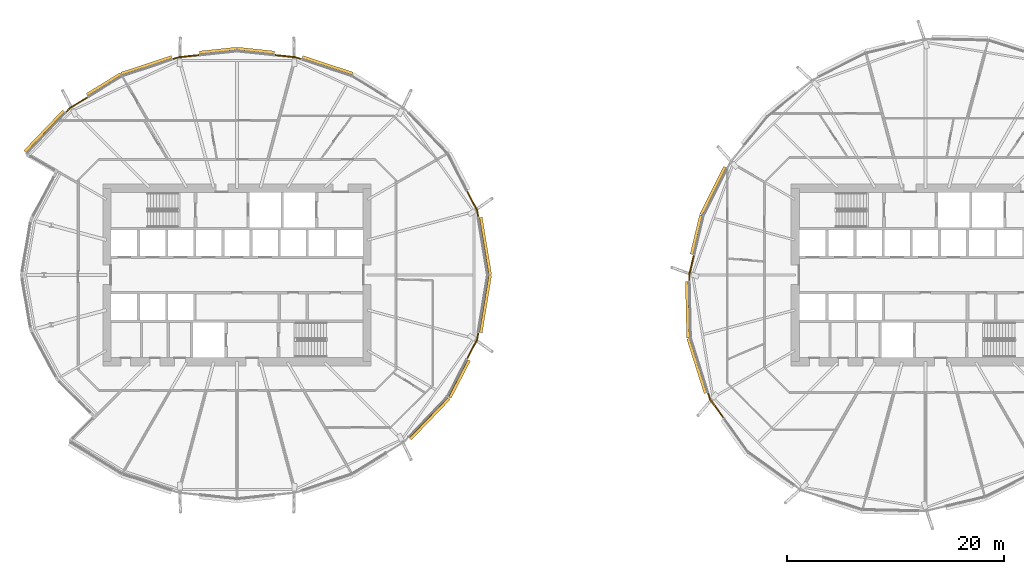
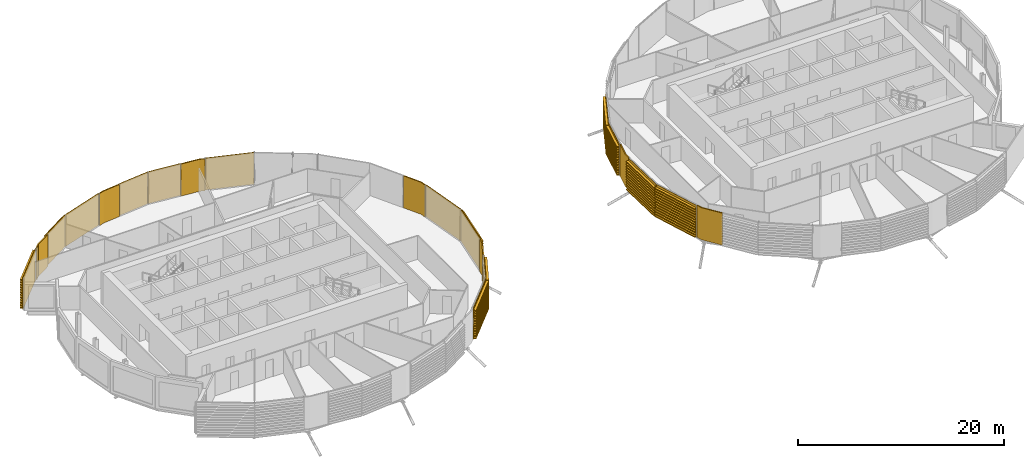
# One storey, part 35 of 38: 21 coverings.
"""IFC4 building model written with IfcOpenShell, lengths in metres."""

from ifc_helpers import new_model, si_unit, direction, frame, origin, place, context, subcontext, project, spatial, polyline, outline, extrude, material, layer, layer_set, material_profile, profile_set, type_object, element, save


model = new_model("IFC4")

# Units and contexts
model_context = context("Model", 3, precision=1e-05, world=origin(), true_north=direction((0.0, 1.0)))
body_context = subcontext(model_context, "Body", "Model", "MODEL_VIEW")
ifc_project = project(units=[si_unit("LENGTHUNIT", "METRE"), si_unit("AREAUNIT", "SQUARE_METRE"), si_unit("VOLUMEUNIT", "CUBIC_METRE"), si_unit("PLANEANGLEUNIT", "RADIAN"), si_unit("MASSUNIT", "GRAM", prefix="KILO")], contexts=[model_context])

# Site, building, storey
site_placement = place(None, origin())
site = spatial("IfcSite", under=ifc_project, at=site_placement, CompositionType="ELEMENT")
building_placement = place(site_placement, origin())
building = spatial("IfcBuilding", under=site, at=building_placement, Name="Rimbun Link Towers", CompositionType="ELEMENT")
storey_placement = place(building_placement, frame((0.0, 0.0, 119.60009765625)))
storey = spatial("IfcBuildingStorey", under=building, at=storey_placement, Name="L29", CompositionType="ELEMENT", Elevation=119.60009765625)

# Coverings
ifc_material_1 = material(Name="Terracotta", Category="masonry")
ifc_layer = layer(ifc_material_1, 0.1201171875)
ifc_layer_set = layer_set([ifc_layer], Name="LINK PIER terracotta cladding 120")
covering_type_1 = type_object("IfcCoveringType", Name="LINK PIER terracotta cladding 120", PredefinedType="CLADDING", material=ifc_layer_set)
covering_1_placement = place(storey_placement, origin())
element("IfcCovering", 1, at=covering_1_placement, inside=storey, type_object=covering_type_1, Name="LINK PIER cladding", PredefinedType="CLADDING", context=body_context, shape_type="SweptSolid", body=[
    extrude(outline(polyline([(-10.5810546875, 7.715087890625), (-9.652587890625, 5.9208984375), (-9.552001953125, 5.309326171875), (-9.43359375, 5.32861328125), (-9.537353515625, 5.959228515625), (-10.474365234375, 7.770263671875), (-10.5810546875, 7.715087890625)])), origin(), (0.0, 0.0, 1.0), 3.7998046875),
])
covering_2_placement = place(storey_placement, origin())
element("IfcCovering", 2, at=covering_2_placement, inside=storey, type_object=covering_type_1, Name="LINK PIER cladding", PredefinedType="CLADDING", context=body_context, shape_type="SweptSolid", body=[
    extrude(outline(polyline([(-28.29150390625, 20.23486328125), (-26.382080078125, 20.03369140625), (-25.8408203125, 19.8544921875), (-25.80322265625, 19.96826171875), (-26.3564453125, 20.151611328125), (-28.27880859375, 20.354248046875), (-28.29150390625, 20.23486328125)])), origin(), (0.0, 0.0, 1.0), 3.7998046875),
])
covering_3_placement = place(storey_placement, origin())
element("IfcCovering", 3, at=covering_3_placement, inside=storey, type_object=covering_type_1, Name="LINK PIER cladding", PredefinedType="CLADDING", context=body_context, shape_type="SweptSolid", body=[
    extrude(outline(polyline([(-37.6591796875, 19.8544921875), (-37.117919921875, 20.03369140625), (-35.20849609375, 20.23486328125), (-35.22119140625, 20.354248046875), (-37.1435546875, 20.151611328125), (-37.69677734375, 19.96826171875), (-37.6591796875, 19.8544921875)])), origin(), (0.0, 0.0, 1.0), 3.7998046875),
])
covering_4_placement = place(storey_placement, origin())
element("IfcCovering", 4, at=covering_4_placement, inside=storey, type_object=covering_type_1, Name="LINK PIER cladding", PredefinedType="CLADDING", context=body_context, shape_type="SweptSolid", body=[
    extrude(outline(polyline([(-47.510009765625, 14.9541015625), (-47.115478515625, 15.365478515625), (-45.4794921875, 16.3701171875), (-45.542236328125, 16.472412109375), (-47.191650390625, 15.459716796875), (-47.5966796875, 15.037109375), (-47.510009765625, 14.9541015625)])), origin(), (0.0, 0.0, 1.0), 3.7998046875),
])
covering_5_placement = place(storey_placement, origin())
element("IfcCovering", 5, at=covering_5_placement, inside=storey, type_object=covering_type_1, Name="LINK PIER cladding", PredefinedType="CLADDING", context=body_context, shape_type="SweptSolid", body=[
    extrude(outline(polyline([(-9.552001953125, -5.309326171875), (-9.652587890625, -5.9208984375), (-10.5810546875, -7.715087890625), (-10.474365234375, -7.770263671875), (-9.537353515625, -5.959228515625), (-9.43359375, -5.32861328125), (-9.552001953125, -5.309326171875)])), origin(), (0.0, 0.0, 1.0), 3.7998046875),
])
covering_6_placement = place(storey_placement, origin())
element("IfcCovering", 6, at=covering_6_placement, inside=storey, type_object=covering_type_1, Name="LINK PIER cladding", PredefinedType="CLADDING", context=body_context, shape_type="SweptSolid", body=[
    extrude(outline(polyline([(10.03173828125, -0.56982421875), (10.019775390625, 0.0), (10.45458984375, 1.818603515625), (10.337890625, 1.8466796875), (9.8994140625, 0.012939453125), (9.91162109375, -0.572509765625), (10.03173828125, -0.56982421875)])), origin(), (0.0, 0.0, 1.0), 3.7998046875),
])
covering_7_placement = place(storey_placement, origin())
element("IfcCovering", 7, at=covering_7_placement, inside=storey, type_object=covering_type_1, Name="LINK PIER cladding", PredefinedType="CLADDING", context=body_context, shape_type="SweptSolid", body=[
    extrude(outline(polyline([(13.203125, -13.201416015625), (11.93798828125, -11.4384765625), (11.750244140625, -10.84765625), (11.6357421875, -10.884033203125), (11.82958984375, -11.492919921875), (13.105712890625, -13.271484375), (13.203125, -13.201416015625)])), origin(), (0.0, 0.0, 1.0), 3.7998046875),
])
ifc_material_2 = material(Name="Terracotta", Category="masonry")
ifc_material_profile = material_profile(ifc_material_2, outline(polyline([(0.123046875, 0.0), (0.1630859375, 0.0), (0.1630859375, 0.10009765625), (0.423095703125, 0.10009765625), (0.423095703125, 0.219970703125), (0.1630859375, 0.219970703125), (0.1630859375, 0.39990234375), (0.423095703125, 0.39990234375), (0.423095703125, 0.52001953125), (0.1630859375, 0.52001953125), (0.1630859375, 0.699951171875), (0.423095703125, 0.699951171875), (0.423095703125, 0.820068359375), (0.1630859375, 0.820068359375), (0.1630859375, 1.0), (0.423095703125, 1.0), (0.423095703125, 1.1201171875), (0.1630859375, 1.1201171875), (0.1630859375, 1.300048828125), (0.423095703125, 1.300048828125), (0.423095703125, 1.419921875), (0.1630859375, 1.419921875), (0.1630859375, 1.60009765625), (0.423095703125, 1.60009765625), (0.423095703125, 1.719970703125), (0.1630859375, 1.719970703125), (0.1630859375, 1.89990234375), (0.423095703125, 1.89990234375), (0.423095703125, 2.02001953125), (0.1630859375, 2.02001953125), (0.1630859375, 2.199951171875), (0.423095703125, 2.199951171875), (0.423095703125, 2.320068359375), (0.1630859375, 2.320068359375), (0.1630859375, 2.5), (0.423095703125, 2.5), (0.423095703125, 2.6201171875), (0.1630859375, 2.6201171875), (0.1630859375, 2.800048828125), (0.423095703125, 2.800048828125), (0.423095703125, 2.919921875), (0.1630859375, 2.919921875), (0.1630859375, 3.10009765625), (0.423095703125, 3.10009765625), (0.423095703125, 3.219970703125), (0.1630859375, 3.219970703125), (0.1630859375, 3.39990234375), (0.423095703125, 3.39990234375), (0.423095703125, 3.52001953125), (0.1630859375, 3.52001953125), (0.1630859375, 3.800048828125), (0.123046875, 3.800048828125), (0.123046875, 0.0)])), Name="BAGUETTE 120X300")
ifc_profile_set = profile_set([ifc_material_profile], Name="Terracotta")
covering_type_2 = type_object("IfcCoveringType", Name="TERRACOTTA BAGUETTE 120X300 H3800", PredefinedType="CLADDING", material=ifc_profile_set)
covering_8_placement = place(storey_placement, frame((-9.547119140625, 5.279541015625, 0.0), z_axis=(0.162260158784, -0.986748012854, 0.0), x_axis=(0.986748012854, 0.162260158784, 0.0)))
element("IfcCovering", 8, at=covering_8_placement, inside=storey, type_object=covering_type_2, Name="TERRACOTTA BAGUETTE", PredefinedType="CLADDING", context=body_context, shape_type="SweptSolid", body=[
    extrude(outline(polyline([(0.123046875, 0.0), (0.1630859375, 0.0), (0.1630859375, 0.10009765625), (0.423095703125, 0.10009765625), (0.423095703125, 0.219970703125), (0.1630859375, 0.219970703125), (0.1630859375, 0.39990234375), (0.423095703125, 0.39990234375), (0.423095703125, 0.52001953125), (0.1630859375, 0.52001953125), (0.1630859375, 0.699951171875), (0.423095703125, 0.699951171875), (0.423095703125, 0.820068359375), (0.1630859375, 0.820068359375), (0.1630859375, 1.0), (0.423095703125, 1.0), (0.423095703125, 1.1201171875), (0.1630859375, 1.1201171875), (0.1630859375, 1.300048828125), (0.423095703125, 1.300048828125), (0.423095703125, 1.419921875), (0.1630859375, 1.419921875), (0.1630859375, 1.60009765625), (0.423095703125, 1.60009765625), (0.423095703125, 1.719970703125), (0.1630859375, 1.719970703125), (0.1630859375, 1.89990234375), (0.423095703125, 1.89990234375), (0.423095703125, 2.02001953125), (0.1630859375, 2.02001953125), (0.1630859375, 2.199951171875), (0.423095703125, 2.199951171875), (0.423095703125, 2.320068359375), (0.1630859375, 2.320068359375), (0.1630859375, 2.5), (0.423095703125, 2.5), (0.423095703125, 2.6201171875), (0.1630859375, 2.6201171875), (0.1630859375, 2.800048828125), (0.423095703125, 2.800048828125), (0.423095703125, 2.919921875), (0.1630859375, 2.919921875), (0.1630859375, 3.10009765625), (0.423095703125, 3.10009765625), (0.423095703125, 3.219970703125), (0.1630859375, 3.219970703125), (0.1630859375, 3.39990234375), (0.423095703125, 3.39990234375), (0.423095703125, 3.52001953125), (0.1630859375, 3.52001953125), (0.1630859375, 3.800048828125), (0.123046875, 3.800048828125), (0.123046875, 0.0)])), origin(), (0.0, 0.0, 1.0), 5.350341796875),
])
covering_9_placement = place(storey_placement, frame((-25.8125, 19.844970703125, 0.0), z_axis=(0.949241981904, -0.314546752948, 0.0), x_axis=(0.314546752948, 0.949241981904, 0.0)))
element("IfcCovering", 9, at=covering_9_placement, inside=storey, type_object=covering_type_2, Name="TERRACOTTA BAGUETTE", PredefinedType="CLADDING", context=body_context, shape_type="SweptSolid", body=[
    extrude(outline(polyline([(0.123046875, 0.0), (0.1630859375, 0.0), (0.1630859375, 0.10009765625), (0.423095703125, 0.10009765625), (0.423095703125, 0.219970703125), (0.1630859375, 0.219970703125), (0.1630859375, 0.39990234375), (0.423095703125, 0.39990234375), (0.423095703125, 0.52001953125), (0.1630859375, 0.52001953125), (0.1630859375, 0.699951171875), (0.423095703125, 0.699951171875), (0.423095703125, 0.820068359375), (0.1630859375, 0.820068359375), (0.1630859375, 1.0), (0.423095703125, 1.0), (0.423095703125, 1.1201171875), (0.1630859375, 1.1201171875), (0.1630859375, 1.300048828125), (0.423095703125, 1.300048828125), (0.423095703125, 1.419921875), (0.1630859375, 1.419921875), (0.1630859375, 1.60009765625), (0.423095703125, 1.60009765625), (0.423095703125, 1.719970703125), (0.1630859375, 1.719970703125), (0.1630859375, 1.89990234375), (0.423095703125, 1.89990234375), (0.423095703125, 2.02001953125), (0.1630859375, 2.02001953125), (0.1630859375, 2.199951171875), (0.423095703125, 2.199951171875), (0.423095703125, 2.320068359375), (0.1630859375, 2.320068359375), (0.1630859375, 2.5), (0.423095703125, 2.5), (0.423095703125, 2.6201171875), (0.1630859375, 2.6201171875), (0.1630859375, 2.800048828125), (0.423095703125, 2.800048828125), (0.423095703125, 2.919921875), (0.1630859375, 2.919921875), (0.1630859375, 3.10009765625), (0.423095703125, 3.10009765625), (0.423095703125, 3.219970703125), (0.1630859375, 3.219970703125), (0.1630859375, 3.39990234375), (0.423095703125, 3.39990234375), (0.423095703125, 3.52001953125), (0.1630859375, 3.52001953125), (0.1630859375, 3.800048828125), (0.123046875, 3.800048828125), (0.123046875, 0.0)])), origin(), (0.0, 0.0, 1.0), 4.88134765625),
])
for number, where, z_axis, x_axis, name in (
    (10, (-31.75, 20.59912109375, 0.0), (0.99450040754, -0.104732704554, 0.0), (0.104732704554, 0.99450040754, 0.0), "TERRACOTTA BAGUETTE"),
    (11, (-35.1787109375, 20.238037109375, 0.0), (0.99450040754, 0.104732704554, 0.0), (-0.104732704554, 0.99450040754, 0.0), "TERRACOTTA BAGUETTE"),
):
    element("IfcCovering", number, at=place(storey_placement, frame(where, z_axis=z_axis, x_axis=x_axis)), inside=storey, type_object=covering_type_2, Name=name, PredefinedType="CLADDING", context=body_context, shape_type="SweptSolid", body=[
        extrude(outline(polyline([(0.123046875, 0.0), (0.1630859375, 0.0), (0.1630859375, 0.10009765625), (0.423095703125, 0.10009765625), (0.423095703125, 0.219970703125), (0.1630859375, 0.219970703125), (0.1630859375, 0.39990234375), (0.423095703125, 0.39990234375), (0.423095703125, 0.52001953125), (0.1630859375, 0.52001953125), (0.1630859375, 0.699951171875), (0.423095703125, 0.699951171875), (0.423095703125, 0.820068359375), (0.1630859375, 0.820068359375), (0.1630859375, 1.0), (0.423095703125, 1.0), (0.423095703125, 1.1201171875), (0.1630859375, 1.1201171875), (0.1630859375, 1.300048828125), (0.423095703125, 1.300048828125), (0.423095703125, 1.419921875), (0.1630859375, 1.419921875), (0.1630859375, 1.60009765625), (0.423095703125, 1.60009765625), (0.423095703125, 1.719970703125), (0.1630859375, 1.719970703125), (0.1630859375, 1.89990234375), (0.423095703125, 1.89990234375), (0.423095703125, 2.02001953125), (0.1630859375, 2.02001953125), (0.1630859375, 2.199951171875), (0.423095703125, 2.199951171875), (0.423095703125, 2.320068359375), (0.1630859375, 2.320068359375), (0.1630859375, 2.5), (0.423095703125, 2.5), (0.423095703125, 2.6201171875), (0.1630859375, 2.6201171875), (0.1630859375, 2.800048828125), (0.423095703125, 2.800048828125), (0.423095703125, 2.919921875), (0.1630859375, 2.919921875), (0.1630859375, 3.10009765625), (0.423095703125, 3.10009765625), (0.423095703125, 3.219970703125), (0.1630859375, 3.219970703125), (0.1630859375, 3.39990234375), (0.423095703125, 3.39990234375), (0.423095703125, 3.52001953125), (0.1630859375, 3.52001953125), (0.1630859375, 3.800048828125), (0.123046875, 3.800048828125), (0.123046875, 0.0)])), origin(), (0.0, 0.0, 1.0), 3.44775390625),
    ])
covering_10_placement = place(storey_placement, frame((-42.321044921875, 18.3095703125, 0.0), z_axis=(0.949241981904, 0.314546752948, 0.0), x_axis=(-0.314546752948, 0.949241981904, 0.0)))
element("IfcCovering", 12, at=covering_10_placement, inside=storey, type_object=covering_type_2, Name="TERRACOTTA BAGUETTE", PredefinedType="CLADDING", context=body_context, shape_type="SweptSolid", body=[
    extrude(outline(polyline([(0.123046875, 0.0), (0.1630859375, 0.0), (0.1630859375, 0.10009765625), (0.423095703125, 0.10009765625), (0.423095703125, 0.219970703125), (0.1630859375, 0.219970703125), (0.1630859375, 0.39990234375), (0.423095703125, 0.39990234375), (0.423095703125, 0.52001953125), (0.1630859375, 0.52001953125), (0.1630859375, 0.699951171875), (0.423095703125, 0.699951171875), (0.423095703125, 0.820068359375), (0.1630859375, 0.820068359375), (0.1630859375, 1.0), (0.423095703125, 1.0), (0.423095703125, 1.1201171875), (0.1630859375, 1.1201171875), (0.1630859375, 1.300048828125), (0.423095703125, 1.300048828125), (0.423095703125, 1.419921875), (0.1630859375, 1.419921875), (0.1630859375, 1.60009765625), (0.423095703125, 1.60009765625), (0.423095703125, 1.719970703125), (0.1630859375, 1.719970703125), (0.1630859375, 1.89990234375), (0.423095703125, 1.89990234375), (0.423095703125, 2.02001953125), (0.1630859375, 2.02001953125), (0.1630859375, 2.199951171875), (0.423095703125, 2.199951171875), (0.423095703125, 2.320068359375), (0.1630859375, 2.320068359375), (0.1630859375, 2.5), (0.423095703125, 2.5), (0.423095703125, 2.6201171875), (0.1630859375, 2.6201171875), (0.1630859375, 2.800048828125), (0.423095703125, 2.800048828125), (0.423095703125, 2.919921875), (0.1630859375, 2.919921875), (0.1630859375, 3.10009765625), (0.423095703125, 3.10009765625), (0.423095703125, 3.219970703125), (0.1630859375, 3.219970703125), (0.1630859375, 3.39990234375), (0.423095703125, 3.39990234375), (0.423095703125, 3.52001953125), (0.1630859375, 3.52001953125), (0.1630859375, 3.800048828125), (0.123046875, 3.800048828125), (0.123046875, 0.0)])), origin(), (0.0, 0.0, 1.0), 4.88134765625),
])
covering_11_placement = place(storey_placement, frame((-45.453857421875, 16.385986328125, 0.0), z_axis=(0.852180057576, 0.523248649754, 0.0), x_axis=(-0.523248649754, 0.852180057576, 0.0)))
element("IfcCovering", 13, at=covering_11_placement, inside=storey, type_object=covering_type_2, Name="TERRACOTTA BAGUETTE", PredefinedType="CLADDING", context=body_context, shape_type="SweptSolid", body=[
    extrude(outline(polyline([(0.123046875, 0.0), (0.1630859375, 0.0), (0.1630859375, 0.10009765625), (0.423095703125, 0.10009765625), (0.423095703125, 0.219970703125), (0.1630859375, 0.219970703125), (0.1630859375, 0.39990234375), (0.423095703125, 0.39990234375), (0.423095703125, 0.52001953125), (0.1630859375, 0.52001953125), (0.1630859375, 0.699951171875), (0.423095703125, 0.699951171875), (0.423095703125, 0.820068359375), (0.1630859375, 0.820068359375), (0.1630859375, 1.0), (0.423095703125, 1.0), (0.423095703125, 1.1201171875), (0.1630859375, 1.1201171875), (0.1630859375, 1.300048828125), (0.423095703125, 1.300048828125), (0.423095703125, 1.419921875), (0.1630859375, 1.419921875), (0.1630859375, 1.60009765625), (0.423095703125, 1.60009765625), (0.423095703125, 1.719970703125), (0.1630859375, 1.719970703125), (0.1630859375, 1.89990234375), (0.423095703125, 1.89990234375), (0.423095703125, 2.02001953125), (0.1630859375, 2.02001953125), (0.1630859375, 2.199951171875), (0.423095703125, 2.199951171875), (0.423095703125, 2.320068359375), (0.1630859375, 2.320068359375), (0.1630859375, 2.5), (0.423095703125, 2.5), (0.423095703125, 2.6201171875), (0.1630859375, 2.6201171875), (0.1630859375, 2.800048828125), (0.423095703125, 2.800048828125), (0.423095703125, 2.919921875), (0.1630859375, 2.919921875), (0.1630859375, 3.10009765625), (0.423095703125, 3.10009765625), (0.423095703125, 3.219970703125), (0.1630859375, 3.219970703125), (0.1630859375, 3.39990234375), (0.423095703125, 3.39990234375), (0.423095703125, 3.52001953125), (0.1630859375, 3.52001953125), (0.1630859375, 3.800048828125), (0.123046875, 3.800048828125), (0.123046875, 0.0)])), origin(), (0.0, 0.0, 1.0), 3.67626953125),
])
for number, where, z_axis, x_axis, name in (
    (14, (-51.12353515625, 11.185302734375, 0.0), (0.692065709905, 0.721834505391, 0.0), (-0.721834505391, 0.692065709905, 0.0), "TERRACOTTA BAGUETTE"),
    (15, (-12.37646484375, -11.185302734375, 0.0), (-0.692065709905, -0.721834505391, 0.0), (0.721834505391, -0.692065709905, 0.0), "TERRACOTTA BAGUETTE"),
):
    element("IfcCovering", number, at=place(storey_placement, frame(where, z_axis=z_axis, x_axis=x_axis)), inside=storey, type_object=covering_type_2, Name=name, PredefinedType="CLADDING", context=body_context, shape_type="SweptSolid", body=[
        extrude(outline(polyline([(0.123046875, 0.0), (0.1630859375, 0.0), (0.1630859375, 0.10009765625), (0.423095703125, 0.10009765625), (0.423095703125, 0.219970703125), (0.1630859375, 0.219970703125), (0.1630859375, 0.39990234375), (0.423095703125, 0.39990234375), (0.423095703125, 0.52001953125), (0.1630859375, 0.52001953125), (0.1630859375, 0.699951171875), (0.423095703125, 0.699951171875), (0.423095703125, 0.820068359375), (0.1630859375, 0.820068359375), (0.1630859375, 1.0), (0.423095703125, 1.0), (0.423095703125, 1.1201171875), (0.1630859375, 1.1201171875), (0.1630859375, 1.300048828125), (0.423095703125, 1.300048828125), (0.423095703125, 1.419921875), (0.1630859375, 1.419921875), (0.1630859375, 1.60009765625), (0.423095703125, 1.60009765625), (0.423095703125, 1.719970703125), (0.1630859375, 1.719970703125), (0.1630859375, 1.89990234375), (0.423095703125, 1.89990234375), (0.423095703125, 2.02001953125), (0.1630859375, 2.02001953125), (0.1630859375, 2.199951171875), (0.423095703125, 2.199951171875), (0.423095703125, 2.320068359375), (0.1630859375, 2.320068359375), (0.1630859375, 2.5), (0.423095703125, 2.5), (0.423095703125, 2.6201171875), (0.1630859375, 2.6201171875), (0.1630859375, 2.800048828125), (0.423095703125, 2.800048828125), (0.423095703125, 2.919921875), (0.1630859375, 2.919921875), (0.1630859375, 3.10009765625), (0.423095703125, 3.10009765625), (0.423095703125, 3.219970703125), (0.1630859375, 3.219970703125), (0.1630859375, 3.39990234375), (0.423095703125, 3.39990234375), (0.423095703125, 3.52001953125), (0.1630859375, 3.52001953125), (0.1630859375, 3.800048828125), (0.123046875, 3.800048828125), (0.123046875, 0.0)])), origin(), (0.0, 0.0, 1.0), 5.19140625),
    ])
covering_12_placement = place(storey_placement, frame((-10.5947265625, -7.74169921875, 0.0), z_axis=(-0.459537686225, -0.888158271334, 0.0), x_axis=(0.888158271334, -0.459537686225, 0.0)))
element("IfcCovering", 16, at=covering_12_placement, inside=storey, type_object=covering_type_2, Name="TERRACOTTA BAGUETTE", PredefinedType="CLADDING", context=body_context, shape_type="SweptSolid", body=[
    extrude(outline(polyline([(0.123046875, 0.0), (0.1630859375, 0.0), (0.1630859375, 0.10009765625), (0.423095703125, 0.10009765625), (0.423095703125, 0.219970703125), (0.1630859375, 0.219970703125), (0.1630859375, 0.39990234375), (0.423095703125, 0.39990234375), (0.423095703125, 0.52001953125), (0.1630859375, 0.52001953125), (0.1630859375, 0.699951171875), (0.423095703125, 0.699951171875), (0.423095703125, 0.820068359375), (0.1630859375, 0.820068359375), (0.1630859375, 1.0), (0.423095703125, 1.0), (0.423095703125, 1.1201171875), (0.1630859375, 1.1201171875), (0.1630859375, 1.300048828125), (0.423095703125, 1.300048828125), (0.423095703125, 1.419921875), (0.1630859375, 1.419921875), (0.1630859375, 1.60009765625), (0.423095703125, 1.60009765625), (0.423095703125, 1.719970703125), (0.1630859375, 1.719970703125), (0.1630859375, 1.89990234375), (0.423095703125, 1.89990234375), (0.423095703125, 2.02001953125), (0.1630859375, 2.02001953125), (0.1630859375, 2.199951171875), (0.423095703125, 2.199951171875), (0.423095703125, 2.320068359375), (0.1630859375, 2.320068359375), (0.1630859375, 2.5), (0.423095703125, 2.5), (0.423095703125, 2.6201171875), (0.1630859375, 2.6201171875), (0.1630859375, 2.800048828125), (0.423095703125, 2.800048828125), (0.423095703125, 2.919921875), (0.1630859375, 2.919921875), (0.1630859375, 3.10009765625), (0.423095703125, 3.10009765625), (0.423095703125, 3.219970703125), (0.1630859375, 3.219970703125), (0.1630859375, 3.39990234375), (0.423095703125, 3.39990234375), (0.423095703125, 3.52001953125), (0.1630859375, 3.52001953125), (0.1630859375, 3.800048828125), (0.123046875, 3.800048828125), (0.123046875, 0.0)])), origin(), (0.0, 0.0, 1.0), 3.877197265625),
])
covering_13_placement = place(storey_placement, frame((-8.678955078125, 0.0, 0.0), z_axis=(-0.162260158784, -0.986748012854, 0.0), x_axis=(0.986748012854, -0.162260158784, 0.0)))
element("IfcCovering", 17, at=covering_13_placement, inside=storey, type_object=covering_type_2, Name="TERRACOTTA BAGUETTE", PredefinedType="CLADDING", context=body_context, shape_type="SweptSolid", body=[
    extrude(outline(polyline([(0.123046875, 0.0), (0.1630859375, 0.0), (0.1630859375, 0.10009765625), (0.423095703125, 0.10009765625), (0.423095703125, 0.219970703125), (0.1630859375, 0.219970703125), (0.1630859375, 0.39990234375), (0.423095703125, 0.39990234375), (0.423095703125, 0.52001953125), (0.1630859375, 0.52001953125), (0.1630859375, 0.699951171875), (0.423095703125, 0.699951171875), (0.423095703125, 0.820068359375), (0.1630859375, 0.820068359375), (0.1630859375, 1.0), (0.423095703125, 1.0), (0.423095703125, 1.1201171875), (0.1630859375, 1.1201171875), (0.1630859375, 1.300048828125), (0.423095703125, 1.300048828125), (0.423095703125, 1.419921875), (0.1630859375, 1.419921875), (0.1630859375, 1.60009765625), (0.423095703125, 1.60009765625), (0.423095703125, 1.719970703125), (0.1630859375, 1.719970703125), (0.1630859375, 1.89990234375), (0.423095703125, 1.89990234375), (0.423095703125, 2.02001953125), (0.1630859375, 2.02001953125), (0.1630859375, 2.199951171875), (0.423095703125, 2.199951171875), (0.423095703125, 2.320068359375), (0.1630859375, 2.320068359375), (0.1630859375, 2.5), (0.423095703125, 2.5), (0.423095703125, 2.6201171875), (0.1630859375, 2.6201171875), (0.1630859375, 2.800048828125), (0.423095703125, 2.800048828125), (0.423095703125, 2.919921875), (0.1630859375, 2.919921875), (0.1630859375, 3.10009765625), (0.423095703125, 3.10009765625), (0.423095703125, 3.219970703125), (0.1630859375, 3.219970703125), (0.1630859375, 3.39990234375), (0.423095703125, 3.39990234375), (0.423095703125, 3.52001953125), (0.1630859375, 3.52001953125), (0.1630859375, 3.800048828125), (0.123046875, 3.800048828125), (0.123046875, 0.0)])), origin(), (0.0, 0.0, 1.0), 5.350341796875),
])
covering_14_placement = place(storey_placement, frame((11.328369140625, 5.471923828125, 0.0), z_axis=(0.448793402305, 0.893635542068, 0.0), x_axis=(-0.893635542068, 0.448793402305, 0.0)))
element("IfcCovering", 18, at=covering_14_placement, inside=storey, type_object=covering_type_2, Name="TERRACOTTA BAGUETTE", PredefinedType="CLADDING", context=body_context, shape_type="SweptSolid", body=[
    extrude(outline(polyline([(0.123046875, 0.0), (0.1630859375, 0.0), (0.1630859375, 0.10009765625), (0.423095703125, 0.10009765625), (0.423095703125, 0.219970703125), (0.1630859375, 0.219970703125), (0.1630859375, 0.39990234375), (0.423095703125, 0.39990234375), (0.423095703125, 0.52001953125), (0.1630859375, 0.52001953125), (0.1630859375, 0.699951171875), (0.423095703125, 0.699951171875), (0.423095703125, 0.820068359375), (0.1630859375, 0.820068359375), (0.1630859375, 1.0), (0.423095703125, 1.0), (0.423095703125, 1.1201171875), (0.1630859375, 1.1201171875), (0.1630859375, 1.300048828125), (0.423095703125, 1.300048828125), (0.423095703125, 1.419921875), (0.1630859375, 1.419921875), (0.1630859375, 1.60009765625), (0.423095703125, 1.60009765625), (0.423095703125, 1.719970703125), (0.1630859375, 1.719970703125), (0.1630859375, 1.89990234375), (0.423095703125, 1.89990234375), (0.423095703125, 2.02001953125), (0.1630859375, 2.02001953125), (0.1630859375, 2.199951171875), (0.423095703125, 2.199951171875), (0.423095703125, 2.320068359375), (0.1630859375, 2.320068359375), (0.1630859375, 2.5), (0.423095703125, 2.5), (0.423095703125, 2.6201171875), (0.1630859375, 2.6201171875), (0.1630859375, 2.800048828125), (0.423095703125, 2.800048828125), (0.423095703125, 2.919921875), (0.1630859375, 2.919921875), (0.1630859375, 3.10009765625), (0.423095703125, 3.10009765625), (0.423095703125, 3.219970703125), (0.1630859375, 3.219970703125), (0.1630859375, 3.39990234375), (0.423095703125, 3.39990234375), (0.423095703125, 3.52001953125), (0.1630859375, 3.52001953125), (0.1630859375, 3.800048828125), (0.123046875, 3.800048828125), (0.123046875, 0.0)])), origin(), (0.0, 0.0, 1.0), 4.88134765625),
])
covering_15_placement = place(storey_placement, frame((10.461669921875, 1.847900390625, 0.0), z_axis=(0.232594769921, 0.972573736539, 0.0), x_axis=(-0.972573736539, 0.232594769921, 0.0)))
element("IfcCovering", 19, at=covering_15_placement, inside=storey, type_object=covering_type_2, Name="TERRACOTTA BAGUETTE", PredefinedType="CLADDING", context=body_context, shape_type="SweptSolid", body=[
    extrude(outline(polyline([(0.123046875, 0.0), (0.1630859375, 0.0), (0.1630859375, 0.10009765625), (0.423095703125, 0.10009765625), (0.423095703125, 0.219970703125), (0.1630859375, 0.219970703125), (0.1630859375, 0.39990234375), (0.423095703125, 0.39990234375), (0.423095703125, 0.52001953125), (0.1630859375, 0.52001953125), (0.1630859375, 0.699951171875), (0.423095703125, 0.699951171875), (0.423095703125, 0.820068359375), (0.1630859375, 0.820068359375), (0.1630859375, 1.0), (0.423095703125, 1.0), (0.423095703125, 1.1201171875), (0.1630859375, 1.1201171875), (0.1630859375, 1.300048828125), (0.423095703125, 1.300048828125), (0.423095703125, 1.419921875), (0.1630859375, 1.419921875), (0.1630859375, 1.60009765625), (0.423095703125, 1.60009765625), (0.423095703125, 1.719970703125), (0.1630859375, 1.719970703125), (0.1630859375, 1.89990234375), (0.423095703125, 1.89990234375), (0.423095703125, 2.02001953125), (0.1630859375, 2.02001953125), (0.1630859375, 2.199951171875), (0.423095703125, 2.199951171875), (0.423095703125, 2.320068359375), (0.1630859375, 2.320068359375), (0.1630859375, 2.5), (0.423095703125, 2.5), (0.423095703125, 2.6201171875), (0.1630859375, 2.6201171875), (0.1630859375, 2.800048828125), (0.423095703125, 2.800048828125), (0.423095703125, 2.919921875), (0.1630859375, 2.919921875), (0.1630859375, 3.10009765625), (0.423095703125, 3.10009765625), (0.423095703125, 3.219970703125), (0.1630859375, 3.219970703125), (0.1630859375, 3.39990234375), (0.423095703125, 3.39990234375), (0.423095703125, 3.52001953125), (0.1630859375, 3.52001953125), (0.1630859375, 3.800048828125), (0.123046875, 3.800048828125), (0.123046875, 0.0)])), origin(), (0.0, 0.0, 1.0), 3.726318359375),
])
covering_16_placement = place(storey_placement, frame((10.1416015625, -5.789794921875, 0.0), z_axis=(-0.021069740698, 0.999778008373, 0.0), x_axis=(-0.999778008373, -0.021069740698, 0.0)))
element("IfcCovering", 20, at=covering_16_placement, inside=storey, type_object=covering_type_2, Name="TERRACOTTA BAGUETTE", PredefinedType="CLADDING", context=body_context, shape_type="SweptSolid", body=[
    extrude(outline(polyline([(0.123046875, 0.0), (0.1630859375, 0.0), (0.1630859375, 0.10009765625), (0.423095703125, 0.10009765625), (0.423095703125, 0.219970703125), (0.1630859375, 0.219970703125), (0.1630859375, 0.39990234375), (0.423095703125, 0.39990234375), (0.423095703125, 0.52001953125), (0.1630859375, 0.52001953125), (0.1630859375, 0.699951171875), (0.423095703125, 0.699951171875), (0.423095703125, 0.820068359375), (0.1630859375, 0.820068359375), (0.1630859375, 1.0), (0.423095703125, 1.0), (0.423095703125, 1.1201171875), (0.1630859375, 1.1201171875), (0.1630859375, 1.300048828125), (0.423095703125, 1.300048828125), (0.423095703125, 1.419921875), (0.1630859375, 1.419921875), (0.1630859375, 1.60009765625), (0.423095703125, 1.60009765625), (0.423095703125, 1.719970703125), (0.1630859375, 1.719970703125), (0.1630859375, 1.89990234375), (0.423095703125, 1.89990234375), (0.423095703125, 2.02001953125), (0.1630859375, 2.02001953125), (0.1630859375, 2.199951171875), (0.423095703125, 2.199951171875), (0.423095703125, 2.320068359375), (0.1630859375, 2.320068359375), (0.1630859375, 2.5), (0.423095703125, 2.5), (0.423095703125, 2.6201171875), (0.1630859375, 2.6201171875), (0.1630859375, 2.800048828125), (0.423095703125, 2.800048828125), (0.423095703125, 2.919921875), (0.1630859375, 2.919921875), (0.1630859375, 3.10009765625), (0.423095703125, 3.10009765625), (0.423095703125, 3.219970703125), (0.1630859375, 3.219970703125), (0.1630859375, 3.39990234375), (0.423095703125, 3.39990234375), (0.423095703125, 3.52001953125), (0.1630859375, 3.52001953125), (0.1630859375, 3.800048828125), (0.123046875, 3.800048828125), (0.123046875, 0.0)])), origin(), (0.0, 0.0, 1.0), 5.191162109375),
])
covering_17_placement = place(storey_placement, frame((11.7412109375, -10.819091796875, 0.0), z_axis=(-0.303096727512, 0.952959796514, 0.0), x_axis=(-0.952959796514, -0.303096727512, 0.0)))
element("IfcCovering", 21, at=covering_17_placement, inside=storey, type_object=covering_type_2, Name="TERRACOTTA BAGUETTE", PredefinedType="CLADDING", context=body_context, shape_type="SweptSolid", body=[
    extrude(outline(polyline([(0.123046875, 0.0), (0.1630859375, 0.0), (0.1630859375, 0.10009765625), (0.423095703125, 0.10009765625), (0.423095703125, 0.219970703125), (0.1630859375, 0.219970703125), (0.1630859375, 0.39990234375), (0.423095703125, 0.39990234375), (0.423095703125, 0.52001953125), (0.1630859375, 0.52001953125), (0.1630859375, 0.699951171875), (0.423095703125, 0.699951171875), (0.423095703125, 0.820068359375), (0.1630859375, 0.820068359375), (0.1630859375, 1.0), (0.423095703125, 1.0), (0.423095703125, 1.1201171875), (0.1630859375, 1.1201171875), (0.1630859375, 1.300048828125), (0.423095703125, 1.300048828125), (0.423095703125, 1.419921875), (0.1630859375, 1.419921875), (0.1630859375, 1.60009765625), (0.423095703125, 1.60009765625), (0.423095703125, 1.719970703125), (0.1630859375, 1.719970703125), (0.1630859375, 1.89990234375), (0.423095703125, 1.89990234375), (0.423095703125, 2.02001953125), (0.1630859375, 2.02001953125), (0.1630859375, 2.199951171875), (0.423095703125, 2.199951171875), (0.423095703125, 2.320068359375), (0.1630859375, 2.320068359375), (0.1630859375, 2.5), (0.423095703125, 2.5), (0.423095703125, 2.6201171875), (0.1630859375, 2.6201171875), (0.1630859375, 2.800048828125), (0.423095703125, 2.800048828125), (0.423095703125, 2.919921875), (0.1630859375, 2.919921875), (0.1630859375, 3.10009765625), (0.423095703125, 3.10009765625), (0.423095703125, 3.219970703125), (0.1630859375, 3.219970703125), (0.1630859375, 3.39990234375), (0.423095703125, 3.39990234375), (0.423095703125, 3.52001953125), (0.1630859375, 3.52001953125), (0.1630859375, 3.800048828125), (0.123046875, 3.800048828125), (0.123046875, 0.0)])), origin(), (0.0, 0.0, 1.0), 5.277587890625),
])

save(model, "model.ifc")
